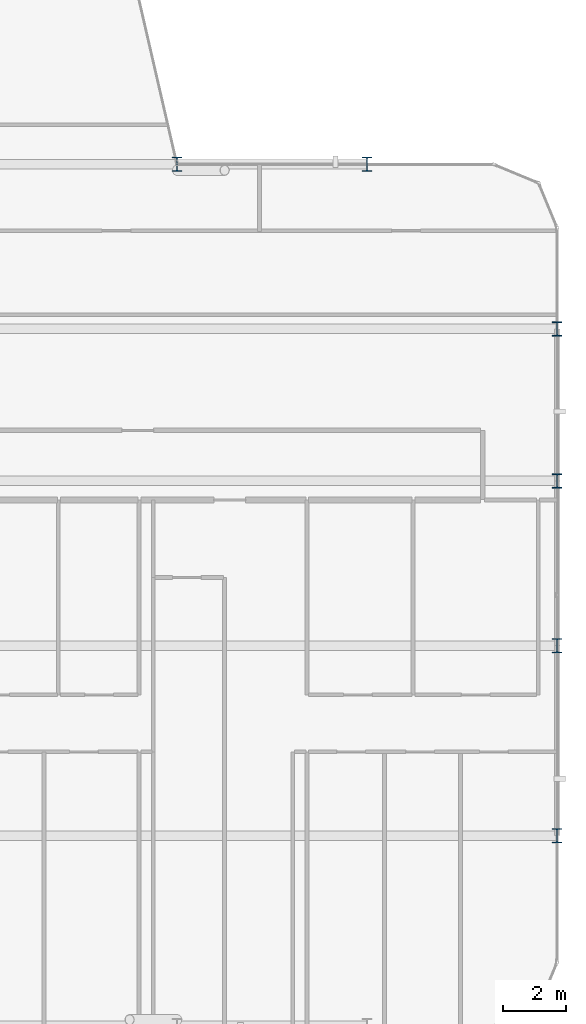
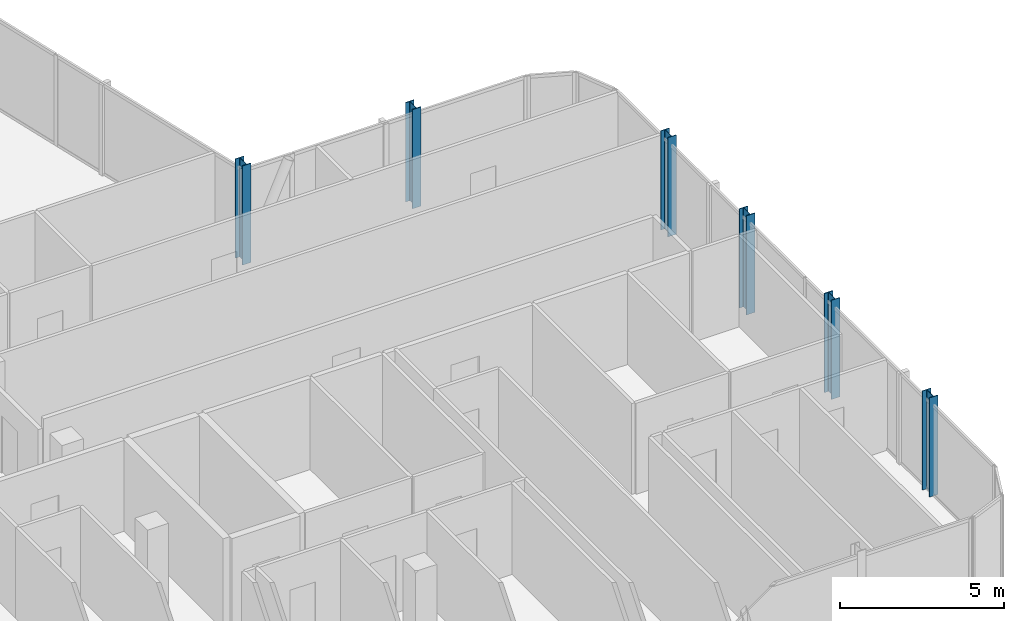
# One storey, part 2 of 29: 6 columns.
"""IFC4 building model written with IfcOpenShell, lengths in metres."""

from ifc_helpers import new_model, si_unit, direction, frame, origin, origin_2d, place, context, subcontext, project, spatial, i_section, extrude, material, material_profile, profile_set, type_object, element, save


model = new_model("IFC4")

# Units and contexts
model_context = context("Model", 3, precision=1e-05, world=origin(), true_north=direction((0.0, 1.0)))
body_context = subcontext(model_context, "Body", "Model", "MODEL_VIEW")
ifc_project = project(units=[si_unit("LENGTHUNIT", "METRE"), si_unit("AREAUNIT", "SQUARE_METRE"), si_unit("VOLUMEUNIT", "CUBIC_METRE"), si_unit("PLANEANGLEUNIT", "RADIAN"), si_unit("MASSUNIT", "GRAM", prefix="KILO")], contexts=[model_context])

# Site, building, storey
site_placement = place(None, origin())
site = spatial("IfcSite", under=ifc_project, at=site_placement, CompositionType="ELEMENT")
building_placement = place(site_placement, origin())
building = spatial("IfcBuilding", under=site, at=building_placement, Name="Keshet Zoharim Tower", CompositionType="ELEMENT")
storey_placement = place(building_placement, frame((0.0, 0.0, 210.60009765625)))
storey = spatial("IfcBuildingStorey", under=building, at=storey_placement, Name="L52", CompositionType="ELEMENT", Elevation=210.60009765625)

# Columns
ifc_material = material(Name="Steel S355", Category="steel")
ifc_material_profile = material_profile(ifc_material, i_section(OverallWidth=0.300048828125, OverallDepth=0.449951171875, WebThickness=0.013916015625, FlangeThickness=0.02587890625, FilletRadius=0.027099609375, at=origin_2d()), Name="HEB450")
ifc_profile_set = profile_set([ifc_material_profile], Name="Steel S355")
column_type = type_object("IfcColumnType", Name="COL-HEB450", PredefinedType="COLUMN", material=ifc_profile_set)
for number, where, z_axis, x_axis, name in (
    (1, (45.0, 27.89990234375, 0.0), (0.0, 0.0, 1.0), (1.0, 0.0, 0.0), "L52 Column 8F"),
    (2, (51.0, 27.89990234375, 0.0), (0.0, 0.0, 1.0), (1.0, 0.0, 0.0), "L52 Column 9F"),
    (3, (57.0, 6.699951171875, 0.0), (0.0, 0.0, 1.0), (1.0, 0.0, 0.0), "L52 Column 10B"),
    (4, (57.0, 12.699951171875, 0.0), (0.0, 0.0, 1.0), (1.0, 0.0, 0.0), "L52 Column 10C"),
    (5, (57.0, 17.89990234375, 0.0), (0.0, 0.0, 1.0), (1.0, 0.0, 0.0), "L52 Column 10D"),
    (6, (57.0, 22.699951171875, 0.0), (0.0, 0.0, 1.0), (1.0, 0.0, 0.0), "L52 Column 10E"),
):
    element("IfcColumn", number, at=place(storey_placement, frame(where, z_axis=z_axis, x_axis=x_axis)), inside=storey, type_object=column_type, Name=name, PredefinedType="COLUMN", context=body_context, shape_type="SweptSolid", body=[
        extrude(i_section(OverallWidth=0.300048828125, OverallDepth=0.449951171875, WebThickness=0.013916015625, FlangeThickness=0.02587890625, FilletRadius=0.027099609375, at=origin_2d()), origin(), (0.0, 0.0, 1.0), 3.699951171875),
    ])

save(model, "model.ifc")
